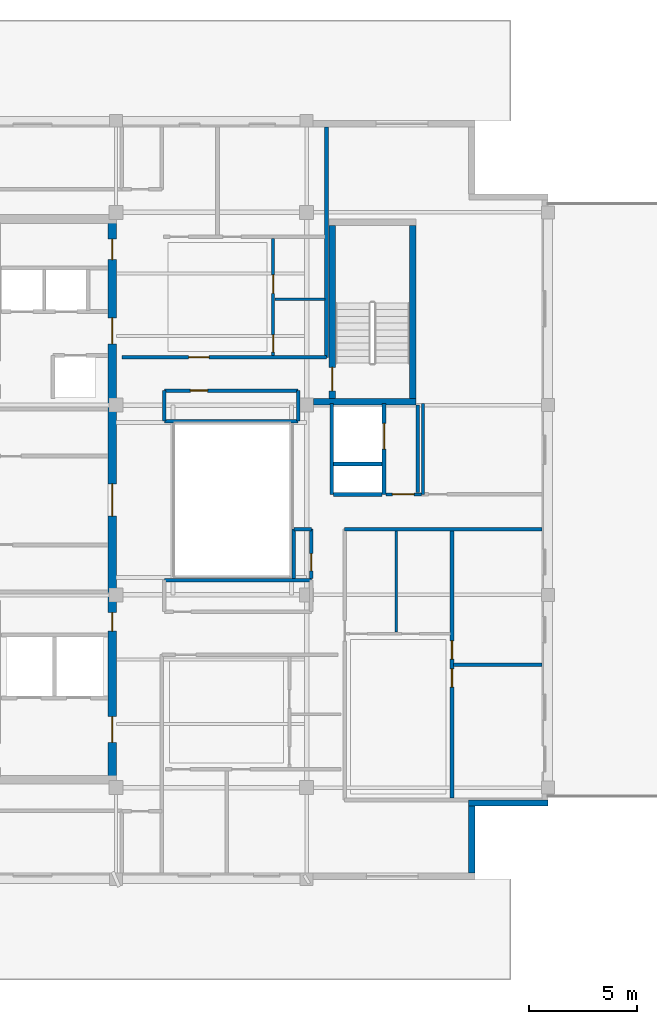
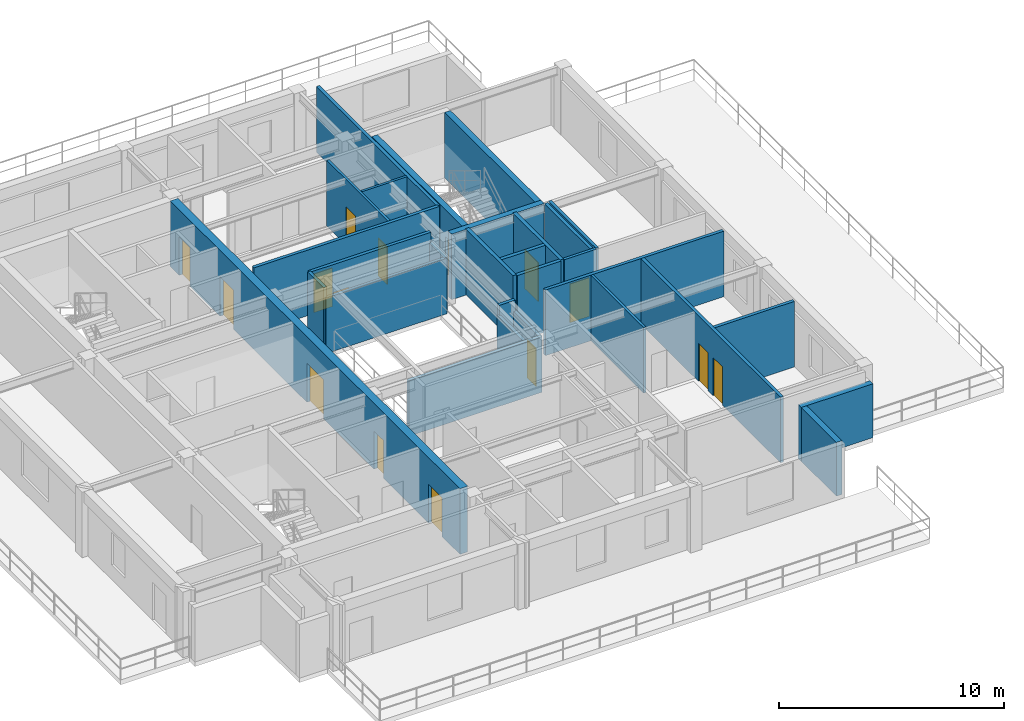
# One storey, part 4 of 9: 29 walls, 15 doors, 15 openings.
"""IFC4 building model written with IfcOpenShell, lengths in metres."""

from ifc_helpers import new_model, si_unit, direction, frame, frame_2d, origin, place, context, subcontext, project, spatial, rectangle, extrude, material, layer, layer_set, type_object, element, fill, save


model = new_model("IFC4")

# Units and contexts
model_context = context("Model", 3, precision=1e-05, world=origin(), true_north=direction((0.0, 1.0)))
body_context = subcontext(model_context, "Body", "Model", "MODEL_VIEW")
ifc_project = project(units=[si_unit("LENGTHUNIT", "METRE"), si_unit("AREAUNIT", "SQUARE_METRE"), si_unit("VOLUMEUNIT", "CUBIC_METRE"), si_unit("PLANEANGLEUNIT", "RADIAN"), si_unit("MASSUNIT", "GRAM", prefix="KILO")], contexts=[model_context])

# Site, building, storey
site_placement = place(None, origin())
site = spatial("IfcSite", under=ifc_project, at=site_placement, CompositionType="ELEMENT")
building_placement = place(site_placement, origin())
building = spatial("IfcBuilding", under=site, at=building_placement, Name="Kundavana Baori Tower", CompositionType="ELEMENT")
storey_placement = place(building_placement, frame((0.0, 0.0, 327.699951171875)))
storey = spatial("IfcBuildingStorey", under=building, at=storey_placement, Name="L81", CompositionType="ELEMENT", Elevation=327.699951171875)

# Wall, openings, doors
ifc_material_1 = material(Name="Concrete C50/60", Category="concrete")
ifc_layer_1 = layer(ifc_material_1, 0.39990234375, Name="WL-CORE-400")
ifc_layer_set_1 = layer_set([ifc_layer_1], Name="Concrete C50/60")
wall_type_1 = type_object("IfcWallType", Name="WL-CORE-400", PredefinedType="SHEAR", material=ifc_layer_set_1)
wall_1_placement = place(storey_placement, frame((24.780029296875, 15.739990234375, 0.0), z_axis=(0.0, 0.0, 1.0), x_axis=(0.0, 1.0, 0.0)))
wall_1 = element("IfcWall", 1, at=wall_1_placement, inside=storey, type_object=wall_type_1, Name="L81 Offset Core East Shear Wall", PredefinedType="SHEAR", context=body_context, shape_type="SweptSolid", body=[
    extrude(rectangle(XDim=25.760009765625, YDim=0.39990234375, at=frame_2d((12.8798828125, 0.0))), origin(), (0.0, 0.0, 1.0), 3.56005859375),
])
opening_1_placement = place(wall_1_placement, frame((1.610107421875, 0.0, 0.0)))
opening_1 = element("IfcOpeningElement", 2, at=opening_1_placement, cuts=wall_1, Name="Opening FD-120", PredefinedType="OPENING", context=body_context, shape_type="SweptSolid", body=[
    extrude(rectangle(XDim=1.199951171875, YDim=2.10009765625, at=frame_2d((0.60009765625, 1.050048828125))), frame((0.0, 0.2099609375, 0.0), z_axis=(0.0, -1.0, 0.0), x_axis=(1.0, 0.0, 0.0)), (0.0, 0.0, 1.0), 0.419921875),
])
opening_2_placement = place(wall_1_placement, frame((6.780029296875, 0.0, 0.0)))
opening_2 = element("IfcOpeningElement", 3, at=opening_2_placement, cuts=wall_1, Name="Opening FD-085", PredefinedType="OPENING", context=body_context, shape_type="SweptSolid", body=[
    extrude(rectangle(XDim=0.85009765625, YDim=2.06005859375, at=frame_2d((0.425048828125, 1.030029296875))), frame((0.0, 0.2099609375, 0.0), z_axis=(0.0, -1.0, 0.0), x_axis=(1.0, 0.0, 0.0)), (0.0, 0.0, 1.0), 0.419921875),
])
opening_3_placement = place(wall_1_placement, frame((12.110107421875, 0.0, 0.0)))
opening_3 = element("IfcOpeningElement", 4, at=opening_3_placement, cuts=wall_1, Name="Opening FD-150", PredefinedType="OPENING", context=body_context, shape_type="SweptSolid", body=[
    extrude(rectangle(XDim=1.5, YDim=2.1201171875, at=frame_2d((0.75, 1.06005859375))), frame((0.0, 0.2099609375, 0.0), z_axis=(0.0, -1.0, 0.0), x_axis=(1.0, 0.0, 0.0)), (0.0, 0.0, 1.0), 0.419921875),
])
opening_4_placement = place(wall_1_placement, frame((20.110107421875, 0.0, 0.0)))
opening_4 = element("IfcOpeningElement", 5, at=opening_4_placement, cuts=wall_1, Name="Opening FD-122", PredefinedType="OPENING", context=body_context, shape_type="SweptSolid", body=[
    extrude(rectangle(XDim=1.199951171875, YDim=2.1201171875, at=frame_2d((0.60009765625, 1.06005859375))), frame((0.0, 0.2099609375, 0.0), z_axis=(0.0, -1.0, 0.0), x_axis=(1.0, 0.0, 0.0)), (0.0, 0.0, 1.0), 0.419921875),
])
opening_5_placement = place(wall_1_placement, frame((24.010009765625, 0.0, 0.0)))
opening_5 = element("IfcOpeningElement", 6, at=opening_5_placement, cuts=wall_1, Name="Opening FD-095", PredefinedType="OPENING", context=body_context, shape_type="SweptSolid", body=[
    extrude(rectangle(XDim=0.949951171875, YDim=2.10009765625, at=frame_2d((0.47509765625, 1.050048828125))), frame((0.0, 0.2099609375, 0.0), z_axis=(0.0, -1.0, 0.0), x_axis=(1.0, 0.0, 0.0)), (0.0, 0.0, 1.0), 0.419921875),
])
ifc_material_2 = material(Name="Galvanised Steel Fire-Rated Door Leaf", Category="steel")
door_type_1 = type_object("IfcDoorType", Name="DR-FD120-1200", OperationType="NOTDEFINED", PredefinedType="DOOR", material=ifc_material_2)
door_1_placement = place(opening_1_placement, frame((1.199951171875, 0.0, 0.0), z_axis=(0.0, 0.0, 1.0), x_axis=(-1.0, 0.0, 0.0)))
door_1 = element("IfcDoor", 7, at=door_1_placement, inside=storey, type_object=door_type_1, Name="DR-L81-FFLOB-E", OperationType="SINGLE_SWING_RIGHT", OverallHeight=2.10009765625, OverallWidth=1.199951171875, PredefinedType="DOOR", context=body_context, shape_type="SweptSolid", body=[
    extrude(rectangle(XDim=1.199951171875, YDim=2.10009765625, at=frame_2d((0.60009765625, 1.050048828125))), frame((0.0, 0.02490234375, 0.0), z_axis=(0.0, -1.0, 0.0), x_axis=(1.0, 0.0, 0.0)), (0.0, 0.0, 1.0), 0.050048828125),
])
fill(opening_1, door_1)
ifc_material_3 = material(Name="Galvanised Steel Fire-Rated Door Leaf", Category="steel")
door_type_2 = type_object("IfcDoorType", Name="DR-FD60-1200", OperationType="NOTDEFINED", PredefinedType="DOOR", material=ifc_material_3)
door_2_placement = place(opening_4_placement, frame((1.199951171875, 0.0, 0.0), z_axis=(0.0, 0.0, 1.0), x_axis=(-1.0, 0.0, 0.0)))
door_2 = element("IfcDoor", 8, at=door_2_placement, inside=storey, type_object=door_type_2, Name="DR-L81-HRLOB-E", OperationType="SINGLE_SWING_RIGHT", OverallHeight=2.1201171875, OverallWidth=1.199951171875, PredefinedType="DOOR", context=body_context, shape_type="SweptSolid", body=[
    extrude(rectangle(XDim=1.199951171875, YDim=2.1201171875, at=frame_2d((0.60009765625, 1.06005859375))), frame((0.0, 0.02490234375, 0.0), z_axis=(0.0, -1.0, 0.0), x_axis=(1.0, 0.0, 0.0)), (0.0, 0.0, 1.0), 0.050048828125),
])
fill(opening_4, door_2)
ifc_material_4 = material(Name="Galvanised Steel Fire-Rated Door Leaf", Category="steel")
door_type_3 = type_object("IfcDoorType", Name="DR-FD60-1500", OperationType="NOTDEFINED", PredefinedType="DOOR", material=ifc_material_4)
door_3_placement = place(opening_3_placement, frame((1.5, 0.0, 0.0), z_axis=(0.0, 0.0, 1.0), x_axis=(-1.0, 0.0, 0.0)))
door_3 = element("IfcDoor", 9, at=door_3_placement, inside=storey, type_object=door_type_3, Name="DR-L81-LIFTHALL-E", OperationType="SINGLE_SWING_LEFT", OverallHeight=2.1201171875, OverallWidth=1.5, PredefinedType="DOOR", context=body_context, shape_type="SweptSolid", body=[
    extrude(rectangle(XDim=1.5, YDim=2.1201171875, at=frame_2d((0.75, 1.06005859375))), frame((0.0, 0.02490234375, 0.0), z_axis=(0.0, -1.0, 0.0), x_axis=(1.0, 0.0, 0.0)), (0.0, 0.0, 1.0), 0.050048828125),
])
fill(opening_3, door_3)
ifc_material_5 = material(Name="Galvanised Steel Fire-Rated Door Leaf", Category="steel")
door_type_4 = type_object("IfcDoorType", Name="DR-FD60-850", OperationType="NOTDEFINED", PredefinedType="DOOR", material=ifc_material_5)
door_4_placement = place(opening_2_placement, frame((0.85009765625, 0.0, 0.0), z_axis=(0.0, 0.0, 1.0), x_axis=(-1.0, 0.0, 0.0)))
door_4 = element("IfcDoor", 10, at=door_4_placement, inside=storey, type_object=door_type_4, Name="DR-L81-CSMK1", OperationType="SINGLE_SWING_LEFT", OverallHeight=2.06005859375, OverallWidth=0.85009765625, PredefinedType="DOOR", context=body_context, shape_type="SweptSolid", body=[
    extrude(rectangle(XDim=0.85009765625, YDim=2.06005859375, at=frame_2d((0.425048828125, 1.030029296875))), frame((0.0, 0.02490234375, 0.0), z_axis=(0.0, -1.0, 0.0), x_axis=(1.0, 0.0, 0.0)), (0.0, 0.0, 1.0), 0.050048828125),
])
fill(opening_2, door_4)
ifc_material_6 = material(Name="Engineered Teak Fire-Rated Timber Door Leaf", Category="wood")
door_type_5 = type_object("IfcDoorType", Name="DR-FD60-950", OperationType="NOTDEFINED", PredefinedType="DOOR", material=ifc_material_6)
door_5_placement = place(opening_5_placement, frame((0.949951171875, 0.0, 0.0), z_axis=(0.0, 0.0, 1.0), x_axis=(-1.0, 0.0, 0.0)))
door_5 = element("IfcDoor", 11, at=door_5_placement, inside=storey, type_object=door_type_5, Name="DR-L81-CSRV1", OperationType="SINGLE_SWING_LEFT", OverallHeight=2.10009765625, OverallWidth=0.949951171875, PredefinedType="DOOR", context=body_context, shape_type="SweptSolid", body=[
    extrude(rectangle(XDim=0.949951171875, YDim=2.10009765625, at=frame_2d((0.47509765625, 1.050048828125))), frame((0.0, 0.02490234375, 0.0), z_axis=(0.0, -1.0, 0.0), x_axis=(1.0, 0.0, 0.0)), (0.0, 0.0, 1.0), 0.050048828125),
])
fill(opening_5, door_5)

# Walls
ifc_material_7 = material(Name="Red-Buff Dholpur Sandstone Cladding on Concrete C40/50", Category="masonry")
ifc_layer_2 = layer(ifc_material_7, 0.280029296875, Name="WL-EXT-SAND-280")
ifc_layer_set_2 = layer_set([ifc_layer_2], Name="Red-Buff Dholpur Sandstone Cladding on Concrete C40/50")
wall_type_2 = type_object("IfcWallType", Name="WL-EXT-SAND-280", PredefinedType="STANDARD", material=ifc_layer_set_2)
wall_2_placement = place(storey_placement, frame((41.4599609375, 11.280029296875, 0.0), z_axis=(0.0, 0.0, 1.0), x_axis=(0.0, 1.0, 0.0)))
element("IfcWall", 12, at=wall_2_placement, inside=storey, type_object=wall_type_2, Name="L81 Exterior Insulated Facade Wall 02", PredefinedType="STANDARD", context=body_context, shape_type="SweptSolid", body=[
    extrude(rectangle(XDim=3.119873046875, YDim=0.280029296875, at=frame_2d((1.56005859375, 0.0))), origin(), (0.0, 0.0, 1.0), 2.920166015625),
])
wall_3_placement = place(storey_placement, frame((41.320068359375, 14.5400390625, 0.0), z_axis=(0.0, 0.0, 1.0), x_axis=(1.0, 0.0, 0.0)))
element("IfcWall", 13, at=wall_3_placement, inside=storey, type_object=wall_type_2, Name="L81 Exterior Insulated Facade Wall 03", PredefinedType="STANDARD", context=body_context, shape_type="SweptSolid", body=[
    extrude(rectangle(XDim=3.679931640625, YDim=0.280029296875, at=frame_2d((1.83984375, 0.0))), origin(), (0.0, 0.0, 1.0), 2.920166015625),
])
ifc_material_8 = material(Name="Fire-Rated Gypsum Drywall on Galvanised Steel Studs", Category="steel")
ifc_layer_3 = layer(ifc_material_8, 0.14990234375, Name="WL-PART-150")
ifc_layer_set_3 = layer_set([ifc_layer_3], Name="Fire-Rated Gypsum Drywall on Galvanised Steel Studs")
wall_type_3 = type_object("IfcWallType", Name="WL-PART-150", PredefinedType="PARTITIONING", material=ifc_layer_set_3)
wall_4_placement = place(storey_placement, frame((39.199951171875, 28.860107421875, 0.0), z_axis=(0.0, 0.0, 1.0), x_axis=(0.0, 1.0, 0.0)))
element("IfcWall", 14, at=wall_4_placement, inside=storey, type_object=wall_type_3, Name="WL-L81-SVLOB-E", PredefinedType="PARTITIONING", context=body_context, shape_type="SweptSolid", body=[
    extrude(rectangle(XDim=4.219970703125, YDim=0.14990234375, at=frame_2d((2.10986328125, 0.0))), origin(), (0.0, 0.0, 1.0), 3.56005859375),
])

# Wall, opening, door
wall_5_placement = place(storey_placement, frame((37.47998046875, 28.860107421875, 0.0), z_axis=(0.0, 0.0, 1.0), x_axis=(1.0, 0.0, 0.0)))
wall_5 = element("IfcWall", 15, at=wall_5_placement, inside=storey, type_object=wall_type_3, Name="WL-L81-SVLOB-S", PredefinedType="PARTITIONING", context=body_context, shape_type="SweptSolid", body=[
    extrude(rectangle(XDim=1.64013671875, YDim=0.14990234375, at=frame_2d((0.820068359375, 0.0))), origin(), (0.0, 0.0, 1.0), 3.56005859375),
])
opening_6_placement = place(wall_5_placement, frame((0.300048828125, 0.0, 0.0)))
opening_6 = element("IfcOpeningElement", 16, at=opening_6_placement, cuts=wall_5, Name="Opening FD-100", PredefinedType="OPENING", context=body_context, shape_type="SweptSolid", body=[
    extrude(rectangle(XDim=1.0, YDim=2.10009765625, at=frame_2d((0.5, 1.050048828125))), frame((0.0, 0.0849609375, 0.0), z_axis=(0.0, -1.0, 0.0), x_axis=(1.0, 0.0, 0.0)), (0.0, 0.0, 1.0), 0.169921875),
])
ifc_material_9 = material(Name="Engineered Teak Fire-Rated Timber Door Leaf", Category="wood")
door_type_6 = type_object("IfcDoorType", Name="DR-FD60-1000", OperationType="NOTDEFINED", PredefinedType="DOOR", material=ifc_material_9)
door_6_placement = place(opening_6_placement, origin())
door_6 = element("IfcDoor", 17, at=door_6_placement, inside=storey, type_object=door_type_6, Name="DR-L81-SVLOB-OUT", OperationType="SINGLE_SWING_LEFT", OverallHeight=2.10009765625, OverallWidth=1.0, PredefinedType="DOOR", context=body_context, shape_type="SweptSolid", body=[
    extrude(rectangle(XDim=1.0, YDim=2.10009765625, at=frame_2d((0.5, 1.050048828125))), frame((0.0, 0.02490234375, 0.0), z_axis=(0.0, -1.0, 0.0), x_axis=(1.0, 0.0, 0.0)), (0.0, 0.0, 1.0), 0.050048828125),
])
fill(opening_6, door_6)

ifc_material_10 = material(Name="Fire-Rated Gypsum Drywall on Galvanised Steel Studs", Category="steel")
ifc_layer_4 = layer(ifc_material_10, 0.1650390625, Name="WL-PART-165")
ifc_layer_set_4 = layer_set([ifc_layer_4], Name="Fire-Rated Gypsum Drywall on Galvanised Steel Studs")
wall_type_4 = type_object("IfcWallType", Name="WL-PART-165", PredefinedType="PARTITIONING", material=ifc_layer_set_4)
wall_6_placement = place(storey_placement, frame((25.219970703125, 35.219970703125, 0.0), z_axis=(0.0, 0.0, 1.0), x_axis=(1.0, 0.0, 0.0)))
wall_6 = element("IfcWall", 18, at=wall_6_placement, inside=storey, type_object=wall_type_4, Name="WL-L81-RN", PredefinedType="PARTITIONING", context=body_context, shape_type="SweptSolid", body=[
    extrude(rectangle(XDim=9.5, YDim=0.1650390625, at=frame_2d((4.75, 0.0))), origin(), (0.0, 0.0, 1.0), 3.56005859375),
])
opening_7_placement = place(wall_6_placement, frame((3.10009765625, 0.0, 0.0)))
opening_7 = element("IfcOpeningElement", 19, at=opening_7_placement, cuts=wall_6, Name="Opening FD-095", PredefinedType="OPENING", context=body_context, shape_type="SweptSolid", body=[
    extrude(rectangle(XDim=0.949951171875, YDim=2.10009765625, at=frame_2d((0.47509765625, 1.050048828125))), frame((0.0, 0.092529296875, 0.0), z_axis=(0.0, -1.0, 0.0), x_axis=(1.0, 0.0, 0.0)), (0.0, 0.0, 1.0), 0.18505859375),
])
door_7_placement = place(opening_7_placement, origin())
door_7 = element("IfcDoor", 20, at=door_7_placement, inside=storey, type_object=door_type_5, Name="DR-L81-N1-ENT", OperationType="SINGLE_SWING_LEFT", OverallHeight=2.10009765625, OverallWidth=0.949951171875, PredefinedType="DOOR", context=body_context, shape_type="SweptSolid", body=[
    extrude(rectangle(XDim=0.949951171875, YDim=2.10009765625, at=frame_2d((0.47509765625, 1.050048828125))), frame((0.0, 0.02490234375, 0.0), z_axis=(0.0, -1.0, 0.0), x_axis=(1.0, 0.0, 0.0)), (0.0, 0.0, 1.0), 0.050048828125),
])
fill(opening_7, door_7)

# Walls
wall_7_placement = place(storey_placement, frame((34.719970703125, 35.219970703125, 0.0), z_axis=(0.0, 0.0, 1.0), x_axis=(0.0, 1.0, 0.0)))
element("IfcWall", 21, at=wall_7_placement, inside=storey, type_object=wall_type_4, Name="WL-L81-RNEND", PredefinedType="PARTITIONING", context=body_context, shape_type="SweptSolid", body=[
    extrude(rectangle(XDim=10.699951171875, YDim=0.1650390625, at=frame_2d((5.35009765625, 0.0))), origin(), (0.0, 0.0, 1.0), 3.56005859375),
])
wall_8_placement = place(storey_placement, frame((35.56005859375, 27.25, 0.0), z_axis=(0.0, 0.0, 1.0), x_axis=(1.0, 0.0, 0.0)))
element("IfcWall", 22, at=wall_8_placement, inside=storey, type_object=wall_type_4, Name="WL-L81-CSEN", PredefinedType="PARTITIONING", context=body_context, shape_type="SweptSolid", body=[
    extrude(rectangle(XDim=9.159912109375, YDim=0.1650390625, at=frame_2d((4.580078125, 0.0))), origin(), (0.0, 0.0, 1.0), 3.56005859375),
])

# Wall, openings, doors
wall_9_placement = place(storey_placement, frame((40.54296875, 14.760009765625, 0.0), z_axis=(0.0, 0.0, 1.0), x_axis=(0.0, 1.0, 0.0)))
wall_9 = element("IfcWall", 23, at=wall_9_placement, inside=storey, type_object=wall_type_4, Name="WL-L81-SE1-VT", PredefinedType="PARTITIONING", context=body_context, shape_type="SweptSolid", body=[
    extrude(rectangle(XDim=12.409912109375, YDim=0.1650390625, at=frame_2d((6.205078125, 0.0))), origin(), (0.0, 0.0, 1.0), 3.56005859375),
])
opening_8_placement = place(wall_9_placement, frame((5.155029296875, 0.0, 0.0)))
opening_8 = element("IfcOpeningElement", 24, at=opening_8_placement, cuts=wall_9, Name="Opening ID-085", PredefinedType="OPENING", context=body_context, shape_type="SweptSolid", body=[
    extrude(rectangle(XDim=0.85009765625, YDim=2.080078125, at=frame_2d((0.425048828125, 1.0400390625))), frame((0.0, 0.092529296875, 0.0), z_axis=(0.0, -1.0, 0.0), x_axis=(1.0, 0.0, 0.0)), (0.0, 0.0, 1.0), 0.18505859375),
])
opening_9_placement = place(wall_9_placement, frame((6.455078125, 0.0, 0.0)))
opening_9 = element("IfcOpeningElement", 25, at=opening_9_placement, cuts=wall_9, Name="Opening ID-085", PredefinedType="OPENING", context=body_context, shape_type="SweptSolid", body=[
    extrude(rectangle(XDim=0.85009765625, YDim=2.080078125, at=frame_2d((0.425048828125, 1.0400390625))), frame((0.0, 0.092529296875, 0.0), z_axis=(0.0, -1.0, 0.0), x_axis=(1.0, 0.0, 0.0)), (0.0, 0.0, 1.0), 0.18505859375),
])
ifc_material_11 = material(Name="Engineered Teak Solid-Core Timber Veneer", Category="wood")
door_type_7 = type_object("IfcDoorType", Name="DR-INT-850", OperationType="NOTDEFINED", PredefinedType="DOOR", material=ifc_material_11)
door_8_placement = place(opening_8_placement, origin())
door_8 = element("IfcDoor", 26, at=door_8_placement, inside=storey, type_object=door_type_7, Name="DR-L81-SE1-B1", OperationType="SINGLE_SWING_LEFT", OverallHeight=2.080078125, OverallWidth=0.85009765625, PredefinedType="DOOR", context=body_context, shape_type="SweptSolid", body=[
    extrude(rectangle(XDim=0.85009765625, YDim=2.080078125, at=frame_2d((0.425048828125, 1.0400390625))), frame((0.0, 0.02490234375, 0.0), z_axis=(0.0, -1.0, 0.0), x_axis=(1.0, 0.0, 0.0)), (0.0, 0.0, 1.0), 0.050048828125),
])
fill(opening_8, door_8)
door_9_placement = place(opening_9_placement, origin())
door_9 = element("IfcDoor", 27, at=door_9_placement, inside=storey, type_object=door_type_7, Name="DR-L81-SE1-B2", OperationType="SINGLE_SWING_RIGHT", OverallHeight=2.080078125, OverallWidth=0.85009765625, PredefinedType="DOOR", context=body_context, shape_type="SweptSolid", body=[
    extrude(rectangle(XDim=0.85009765625, YDim=2.080078125, at=frame_2d((0.425048828125, 1.0400390625))), frame((0.0, 0.02490234375, 0.0), z_axis=(0.0, -1.0, 0.0), x_axis=(1.0, 0.0, 0.0)), (0.0, 0.0, 1.0), 0.050048828125),
])
fill(opening_9, door_9)

# Walls
wall_10_placement = place(storey_placement, frame((40.623046875, 20.965087890625, 0.0), z_axis=(0.0, 0.0, 1.0), x_axis=(1.0, 0.0, 0.0)))
element("IfcWall", 28, at=wall_10_placement, inside=storey, type_object=wall_type_4, Name="WL-L81-SE1-BDH", PredefinedType="PARTITIONING", context=body_context, shape_type="SweptSolid", body=[
    extrude(rectangle(XDim=4.096923828125, YDim=0.1650390625, at=frame_2d((2.04833984375, 0.0))), origin(), (0.0, 0.0, 1.0), 3.56005859375),
])
wall_11_placement = place(storey_placement, frame((38.9599609375, 28.93994140625, 0.0), z_axis=(0.0, 0.0, 1.0), x_axis=(0.0, 1.0, 0.0)))
element("IfcWall", 29, at=wall_11_placement, inside=storey, type_object=wall_type_4, Name="WL-L81-CNEW", PredefinedType="PARTITIONING", context=body_context, shape_type="SweptSolid", body=[
    extrude(rectangle(XDim=4.06005859375, YDim=0.1650390625, at=frame_2d((2.030029296875, 0.0))), origin(), (0.0, 0.0, 1.0), 3.56005859375),
])
wall_12_placement = place(storey_placement, frame((27.199951171875, 24.8798828125, 0.0), z_axis=(0.0, 0.0, 1.0), x_axis=(1.0, 0.0, 0.0)))
element("IfcWall", 30, at=wall_12_placement, inside=storey, type_object=wall_type_4, Name="WL-L81-ALN", PredefinedType="PARTITIONING", context=body_context, shape_type="SweptSolid", body=[
    extrude(rectangle(XDim=6.820068359375, YDim=0.1650390625, at=frame_2d((3.41015625, 0.0))), origin(), (0.0, 0.0, 1.0), 3.010009765625),
])
wall_13_placement = place(storey_placement, frame((33.199951171875, 24.9599609375, 0.0), z_axis=(0.0, 0.0, 1.0), x_axis=(0.0, 1.0, 0.0)))
element("IfcWall", 31, at=wall_13_placement, inside=storey, type_object=wall_type_4, Name="WL-L81-CEAW", PredefinedType="PARTITIONING", context=body_context, shape_type="SweptSolid", body=[
    extrude(rectangle(XDim=2.2900390625, YDim=0.1650390625, at=frame_2d((1.14501953125, 0.0))), origin(), (0.0, 0.0, 1.0), 3.010009765625),
])

# Wall, opening, door
wall_14_placement = place(storey_placement, frame((34.02001953125, 24.9599609375, 0.0), z_axis=(0.0, 0.0, 1.0), x_axis=(0.0, 1.0, 0.0)))
wall_14 = element("IfcWall", 32, at=wall_14_placement, inside=storey, type_object=wall_type_4, Name="WL-L81-CEAE", PredefinedType="PARTITIONING", context=body_context, shape_type="SweptSolid", body=[
    extrude(rectangle(XDim=2.2900390625, YDim=0.1650390625, at=frame_2d((1.14501953125, 0.0))), origin(), (0.0, 0.0, 1.0), 2.9599609375),
])
opening_10_placement = place(wall_14_placement, frame((0.35009765625, 0.0, 0.0)))
opening_10 = element("IfcOpeningElement", 33, at=opening_10_placement, cuts=wall_14, Name="Opening WD-080", PredefinedType="OPENING", context=body_context, shape_type="SweptSolid", body=[
    extrude(rectangle(XDim=0.800048828125, YDim=2.050048828125, at=frame_2d((0.39990234375, 1.02490234375))), frame((0.0, 0.092529296875, 0.0), z_axis=(0.0, -1.0, 0.0), x_axis=(1.0, 0.0, 0.0)), (0.0, 0.0, 1.0), 0.18505859375),
])
ifc_material_12 = material(Name="Engineered Teak Solid-Core Timber Veneer", Category="wood")
door_type_8 = type_object("IfcDoorType", Name="DR-WET-800", OperationType="NOTDEFINED", PredefinedType="DOOR", material=ifc_material_12)
door_10_placement = place(opening_10_placement, origin())
door_10 = element("IfcDoor", 34, at=door_10_placement, inside=storey, type_object=door_type_8, Name="DR-L81-CSTE", OperationType="SINGLE_SWING_LEFT", OverallHeight=2.050048828125, OverallWidth=0.800048828125, PredefinedType="DOOR", context=body_context, shape_type="SweptSolid", body=[
    extrude(rectangle(XDim=0.800048828125, YDim=2.050048828125, at=frame_2d((0.39990234375, 1.02490234375))), frame((0.0, 0.02490234375, 0.0), z_axis=(0.0, -1.0, 0.0), x_axis=(1.0, 0.0, 0.0)), (0.0, 0.0, 1.0), 0.050048828125),
])
fill(opening_10, door_10)

# Wall
wall_15_placement = place(storey_placement, frame((33.199951171875, 27.25, 0.0), z_axis=(0.0, 0.0, 1.0), x_axis=(1.0, 0.0, 0.0)))
element("IfcWall", 35, at=wall_15_placement, inside=storey, type_object=wall_type_4, Name="WL-L81-CEAN", PredefinedType="PARTITIONING", context=body_context, shape_type="SweptSolid", body=[
    extrude(rectangle(XDim=0.820068359375, YDim=0.1650390625, at=frame_2d((0.41015625, 0.0))), origin(), (0.0, 0.0, 1.0), 3.56005859375),
])

# Wall, opening, door
wall_16_placement = place(storey_placement, frame((27.199951171875, 33.679931640625, 0.0), z_axis=(0.0, 0.0, 1.0), x_axis=(1.0, 0.0, 0.0)))
wall_16 = element("IfcWall", 36, at=wall_16_placement, inside=storey, type_object=wall_type_4, Name="WL-L81-CNAN", PredefinedType="PARTITIONING", context=body_context, shape_type="SweptSolid", body=[
    extrude(rectangle(XDim=6.199951171875, YDim=0.1650390625, at=frame_2d((3.10009765625, 0.0))), origin(), (0.0, 0.0, 1.0), 3.56005859375),
])
opening_11_placement = place(wall_16_placement, frame((1.199951171875, 0.0, 0.0)))
opening_11 = element("IfcOpeningElement", 37, at=opening_11_placement, cuts=wall_16, Name="Opening WD-080", PredefinedType="OPENING", context=body_context, shape_type="SweptSolid", body=[
    extrude(rectangle(XDim=0.800048828125, YDim=2.050048828125, at=frame_2d((0.39990234375, 1.02490234375))), frame((0.0, 0.092529296875, 0.0), z_axis=(0.0, -1.0, 0.0), x_axis=(1.0, 0.0, 0.0)), (0.0, 0.0, 1.0), 0.18505859375),
])
door_11_placement = place(opening_11_placement, frame((0.800048828125, 0.0, 0.0), z_axis=(0.0, 0.0, 1.0), x_axis=(-1.0, 0.0, 0.0)))
door_11 = element("IfcDoor", 38, at=door_11_placement, inside=storey, type_object=door_type_8, Name="DR-L81-CSNA", OperationType="SINGLE_SWING_LEFT", OverallHeight=2.050048828125, OverallWidth=0.800048828125, PredefinedType="DOOR", context=body_context, shape_type="SweptSolid", body=[
    extrude(rectangle(XDim=0.800048828125, YDim=2.050048828125, at=frame_2d((0.39990234375, 1.02490234375))), frame((0.0, 0.02490234375, 0.0), z_axis=(0.0, -1.0, 0.0), x_axis=(1.0, 0.0, 0.0)), (0.0, 0.0, 1.0), 0.050048828125),
])
fill(opening_11, door_11)

# Walls
wall_17_placement = place(storey_placement, frame((27.199951171875, 32.260009765625, 0.0), z_axis=(0.0, 0.0, 1.0), x_axis=(1.0, 0.0, 0.0)))
element("IfcWall", 39, at=wall_17_placement, inside=storey, type_object=wall_type_4, Name="WL-L81-CNAS", PredefinedType="PARTITIONING", context=body_context, shape_type="SweptSolid", body=[
    extrude(rectangle(XDim=6.199951171875, YDim=0.1650390625, at=frame_2d((3.10009765625, 0.0))), origin(), (0.0, 0.0, 1.0), 3.010009765625),
])
wall_18_placement = place(storey_placement, frame((27.199951171875, 32.260009765625, 0.0), z_axis=(0.0, 0.0, 1.0), x_axis=(0.0, 1.0, 0.0)))
element("IfcWall", 40, at=wall_18_placement, inside=storey, type_object=wall_type_4, Name="WL-L81-CNAW", PredefinedType="PARTITIONING", context=body_context, shape_type="SweptSolid", body=[
    extrude(rectangle(XDim=1.419921875, YDim=0.1650390625, at=frame_2d((0.7099609375, 0.0))), origin(), (0.0, 0.0, 1.0), 3.56005859375),
])
wall_19_placement = place(storey_placement, frame((33.39990234375, 32.260009765625, 0.0), z_axis=(0.0, 0.0, 1.0), x_axis=(0.0, 1.0, 0.0)))
element("IfcWall", 41, at=wall_19_placement, inside=storey, type_object=wall_type_4, Name="WL-L81-CNAE", PredefinedType="PARTITIONING", context=body_context, shape_type="SweptSolid", body=[
    extrude(rectangle(XDim=1.419921875, YDim=0.1650390625, at=frame_2d((0.7099609375, 0.0))), origin(), (0.0, 0.0, 1.0), 3.010009765625),
])
ifc_material_13 = material(Name="Autoclaved Aerated Concrete Blockwork Masonry", Category="masonry")
ifc_layer_5 = layer(ifc_material_13, 0.179931640625, Name="WL-SHAFT-180")
ifc_layer_set_5 = layer_set([ifc_layer_5], Name="Autoclaved Aerated Concrete Blockwork Masonry")
wall_type_5 = type_object("IfcWallType", Name="WL-SHAFT-180", PredefinedType="SOLIDWALL", material=ifc_layer_set_5)
wall_20_placement = place(storey_placement, frame((34.9599609375, 28.860107421875, 0.0), z_axis=(0.0, 0.0, 1.0), x_axis=(0.0, 1.0, 0.0)))
element("IfcWall", 42, at=wall_20_placement, inside=storey, type_object=wall_type_5, Name="WL-L81-SVL-W", PredefinedType="SOLIDWALL", context=body_context, shape_type="SweptSolid", body=[
    extrude(rectangle(XDim=4.219970703125, YDim=0.179931640625, at=frame_2d((2.10986328125, 0.0))), origin(), (0.0, 0.0, 1.0), 3.56005859375),
])

# Wall, opening, door
wall_21_placement = place(storey_placement, frame((37.389892578125, 28.860107421875, 0.0), z_axis=(0.0, 0.0, 1.0), x_axis=(0.0, 1.0, 0.0)))
wall_21 = element("IfcWall", 43, at=wall_21_placement, inside=storey, type_object=wall_type_5, Name="WL-L81-SVL-E", PredefinedType="SOLIDWALL", context=body_context, shape_type="SweptSolid", body=[
    extrude(rectangle(XDim=4.219970703125, YDim=0.179931640625, at=frame_2d((2.10986328125, 0.0))), origin(), (0.0, 0.0, 1.0), 3.56005859375),
])
opening_12_placement = place(wall_21_placement, frame((2.10009765625, 0.0, 0.0)))
opening_12 = element("IfcOpeningElement", 44, at=opening_12_placement, cuts=wall_21, Name="Opening LD-120", PredefinedType="OPENING", context=body_context, shape_type="SweptSolid", body=[
    extrude(rectangle(XDim=1.199951171875, YDim=2.1201171875, at=frame_2d((0.60009765625, 1.06005859375))), frame((0.0, 0.10009765625, 0.0), z_axis=(0.0, -1.0, 0.0), x_axis=(1.0, 0.0, 0.0)), (0.0, 0.0, 1.0), 0.199951171875),
])
ifc_material_14 = material(Name="Galvanised Steel Fire-Rated Door Leaf", Category="steel")
door_type_9 = type_object("IfcDoorType", Name="DR-SLIDE-LD1200", OperationType="NOTDEFINED", PredefinedType="DOOR", material=ifc_material_14)
door_12_placement = place(opening_12_placement, frame((1.199951171875, 0.0, 0.0), z_axis=(0.0, 0.0, 1.0), x_axis=(-1.0, 0.0, 0.0)))
door_12 = element("IfcDoor", 45, at=door_12_placement, inside=storey, type_object=door_type_9, Name="DR-L81-LD-SVL1", OperationType="DOUBLE_DOOR_SLIDING", OverallHeight=2.1201171875, OverallWidth=1.199951171875, PredefinedType="DOOR", context=body_context, shape_type="SweptSolid", body=[
    extrude(rectangle(XDim=1.199951171875, YDim=2.1201171875, at=frame_2d((0.60009765625, 1.06005859375))), frame((0.0, 0.02490234375, 0.0), z_axis=(0.0, -1.0, 0.0), x_axis=(1.0, 0.0, 0.0)), (0.0, 0.0, 1.0), 0.050048828125),
])
fill(opening_12, door_12)

# Walls
for number, where, z_axis, x_axis, name in (
    (46, (35.050048828125, 28.860107421875, 0.0), (0.0, 0.0, 1.0), (1.0, 0.0, 0.0), "WL-L81-SVL-S"),
    (47, (35.050048828125, 30.27001953125, 0.0), (0.0, 0.0, 1.0), (1.0, 0.0, 0.0), "WL-L81-SVL-M"),
):
    element("IfcWall", number, at=place(storey_placement, frame(where, z_axis=z_axis, x_axis=x_axis)), inside=storey, type_object=wall_type_5, Name=name, PredefinedType="SOLIDWALL", context=body_context, shape_type="SweptSolid", body=[
        extrude(rectangle(XDim=2.25, YDim=0.179931640625, at=frame_2d((1.125, 0.0))), origin(), (0.0, 0.0, 1.0), 3.56005859375),
    ])
ifc_material_15 = material(Name="Concrete C50/60", Category="concrete")
ifc_layer_6 = layer(ifc_material_15, 0.300048828125, Name="WL-ST3-300")
ifc_layer_set_6 = layer_set([ifc_layer_6], Name="Concrete C50/60")
wall_type_6 = type_object("IfcWallType", Name="WL-ST3-300", PredefinedType="SHEAR", material=ifc_layer_set_6)
wall_22_placement = place(storey_placement, frame((34.125, 33.159912109375, 0.0), z_axis=(0.0, 0.0, 1.0), x_axis=(1.0, 0.0, 0.0)))
element("IfcWall", 48, at=wall_22_placement, inside=storey, type_object=wall_type_6, Name="L81 Stair ST3 South Shear Wall", PredefinedType="SHEAR", context=body_context, shape_type="SweptSolid", body=[
    extrude(rectangle(XDim=4.7451171875, YDim=0.300048828125, at=frame_2d((2.37255859375, 0.0))), origin(), (0.0, 0.0, 1.0), 3.56005859375),
])

# Wall, opening, door
wall_23_placement = place(storey_placement, frame((34.97998046875, 33.31005859375, 0.0), z_axis=(0.0, 0.0, 1.0), x_axis=(0.0, 1.0, 0.0)))
wall_23 = element("IfcWall", 49, at=wall_23_placement, inside=storey, type_object=wall_type_6, Name="L81 Stair ST3 West Shear Wall", PredefinedType="SHEAR", context=body_context, shape_type="SweptSolid", body=[
    extrude(rectangle(XDim=8.030029296875, YDim=0.300048828125, at=frame_2d((4.01513671875, 0.0))), origin(), (0.0, 0.0, 1.0), 3.56005859375),
])
opening_13_placement = place(wall_23_placement, frame((0.35009765625, 0.0, 0.0)))
opening_13 = element("IfcOpeningElement", 50, at=opening_13_placement, cuts=wall_23, Name="Opening FD-110", PredefinedType="OPENING", context=body_context, shape_type="SweptSolid", body=[
    extrude(rectangle(XDim=1.10009765625, YDim=2.10009765625, at=frame_2d((0.550048828125, 1.050048828125))), frame((0.0, 0.16015625, 0.0), z_axis=(0.0, -1.0, 0.0), x_axis=(1.0, 0.0, 0.0)), (0.0, 0.0, 1.0), 0.320068359375),
])
ifc_material_16 = material(Name="Galvanised Steel Fire-Rated Door Leaf", Category="steel")
door_type_10 = type_object("IfcDoorType", Name="DR-FD120-1100", OperationType="NOTDEFINED", PredefinedType="DOOR", material=ifc_material_16)
door_13_placement = place(opening_13_placement, origin())
door_13 = element("IfcDoor", 51, at=door_13_placement, inside=storey, type_object=door_type_10, Name="DR-L81-ST3-W", OperationType="SINGLE_SWING_LEFT", OverallHeight=2.10009765625, OverallWidth=1.10009765625, PredefinedType="DOOR", context=body_context, shape_type="SweptSolid", body=[
    extrude(rectangle(XDim=1.10009765625, YDim=2.10009765625, at=frame_2d((0.550048828125, 1.050048828125))), frame((0.0, 0.02490234375, 0.0), z_axis=(0.0, -1.0, 0.0), x_axis=(1.0, 0.0, 0.0)), (0.0, 0.0, 1.0), 0.050048828125),
])
fill(opening_13, door_13)

# Wall
wall_24_placement = place(storey_placement, frame((38.719970703125, 33.31005859375, 0.0), z_axis=(0.0, 0.0, 1.0), x_axis=(0.0, 1.0, 0.0)))
element("IfcWall", 52, at=wall_24_placement, inside=storey, type_object=wall_type_6, Name="L81 Stair ST3 East Shear Wall", PredefinedType="SHEAR", context=body_context, shape_type="SweptSolid", body=[
    extrude(rectangle(XDim=8.030029296875, YDim=0.300048828125, at=frame_2d((4.01513671875, 0.0))), origin(), (0.0, 0.0, 1.0), 3.56005859375),
])

# Wall, openings, doors
ifc_material_17 = material(Name="Autoclaved Aerated Concrete Blockwork Masonry", Category="masonry")
ifc_layer_7 = layer(ifc_material_17, 0.125, Name="WL-WET-120")
ifc_layer_set_7 = layer_set([ifc_layer_7], Name="Autoclaved Aerated Concrete Blockwork Masonry")
wall_type_7 = type_object("IfcWallType", Name="WL-WET-120", PredefinedType="PLUMBINGWALL", material=ifc_layer_set_7)
wall_25_placement = place(storey_placement, frame((32.239990234375, 35.300048828125, 0.0), z_axis=(0.0, 0.0, 1.0), x_axis=(0.0, 1.0, 0.0)))
wall_25 = element("IfcWall", 53, at=wall_25_placement, inside=storey, type_object=wall_type_7, Name="WL-L81-N1-KT", PredefinedType="PLUMBINGWALL", context=body_context, shape_type="SweptSolid", body=[
    extrude(rectangle(XDim=5.44189453125, YDim=0.125, at=frame_2d((2.720947265625, 0.0))), origin(), (0.0, 0.0, 1.0), 3.56005859375),
])
opening_14_placement = place(wall_25_placement, frame((0.159912109375, 0.0, 0.0)))
opening_14 = element("IfcOpeningElement", 54, at=opening_14_placement, cuts=wall_25, Name="Opening WD-080", PredefinedType="OPENING", context=body_context, shape_type="SweptSolid", body=[
    extrude(rectangle(XDim=0.800048828125, YDim=2.050048828125, at=frame_2d((0.39990234375, 1.02490234375))), frame((0.0, 0.072509765625, 0.0), z_axis=(0.0, -1.0, 0.0), x_axis=(1.0, 0.0, 0.0)), (0.0, 0.0, 1.0), 0.14501953125),
])
opening_15_placement = place(wall_25_placement, frame((2.89208984375, 0.0, 0.0)))
opening_15 = element("IfcOpeningElement", 55, at=opening_15_placement, cuts=wall_25, Name="Opening ID-085", PredefinedType="OPENING", context=body_context, shape_type="SweptSolid", body=[
    extrude(rectangle(XDim=0.85009765625, YDim=2.080078125, at=frame_2d((0.425048828125, 1.0400390625))), frame((0.0, 0.072509765625, 0.0), z_axis=(0.0, -1.0, 0.0), x_axis=(1.0, 0.0, 0.0)), (0.0, 0.0, 1.0), 0.14501953125),
])
door_14_placement = place(opening_15_placement, origin())
door_14 = element("IfcDoor", 56, at=door_14_placement, inside=storey, type_object=door_type_7, Name="DR-L81-N1-KT", OperationType="SINGLE_SWING_RIGHT", OverallHeight=2.080078125, OverallWidth=0.85009765625, PredefinedType="DOOR", context=body_context, shape_type="SweptSolid", body=[
    extrude(rectangle(XDim=0.85009765625, YDim=2.080078125, at=frame_2d((0.425048828125, 1.0400390625))), frame((0.0, 0.02490234375, 0.0), z_axis=(0.0, -1.0, 0.0), x_axis=(1.0, 0.0, 0.0)), (0.0, 0.0, 1.0), 0.050048828125),
])
fill(opening_15, door_14)
door_15_placement = place(opening_14_placement, origin())
door_15 = element("IfcDoor", 57, at=door_15_placement, inside=storey, type_object=door_type_8, Name="DR-L81-N1-BT", OperationType="SINGLE_SWING_LEFT", OverallHeight=2.050048828125, OverallWidth=0.800048828125, PredefinedType="DOOR", context=body_context, shape_type="SweptSolid", body=[
    extrude(rectangle(XDim=0.800048828125, YDim=2.050048828125, at=frame_2d((0.39990234375, 1.02490234375))), frame((0.0, 0.02490234375, 0.0), z_axis=(0.0, -1.0, 0.0), x_axis=(1.0, 0.0, 0.0)), (0.0, 0.0, 1.0), 0.050048828125),
])
fill(opening_14, door_15)

# Walls
wall_26_placement = place(storey_placement, frame((32.320068359375, 37.912109375, 0.0), z_axis=(0.0, 0.0, 1.0), x_axis=(1.0, 0.0, 0.0)))
element("IfcWall", 58, at=wall_26_placement, inside=storey, type_object=wall_type_7, Name="WL-L81-N1-BT", PredefinedType="PLUMBINGWALL", context=body_context, shape_type="SweptSolid", body=[
    extrude(rectangle(XDim=2.31982421875, YDim=0.125, at=frame_2d((1.159912109375, 0.0))), origin(), (0.0, 0.0, 1.0), 3.56005859375),
])
wall_27_placement = place(storey_placement, frame((37.955078125, 22.47998046875, 0.0), z_axis=(0.0, 0.0, 1.0), x_axis=(0.0, 1.0, 0.0)))
element("IfcWall", 59, at=wall_27_placement, inside=storey, type_object=wall_type_7, Name="WL-L81-SE1-BV", PredefinedType="PLUMBINGWALL", context=body_context, shape_type="SweptSolid", body=[
    extrude(rectangle(XDim=4.68994140625, YDim=0.125, at=frame_2d((2.344970703125, 0.0))), origin(), (0.0, 0.0, 1.0), 3.56005859375),
])

save(model, "model.ifc")
